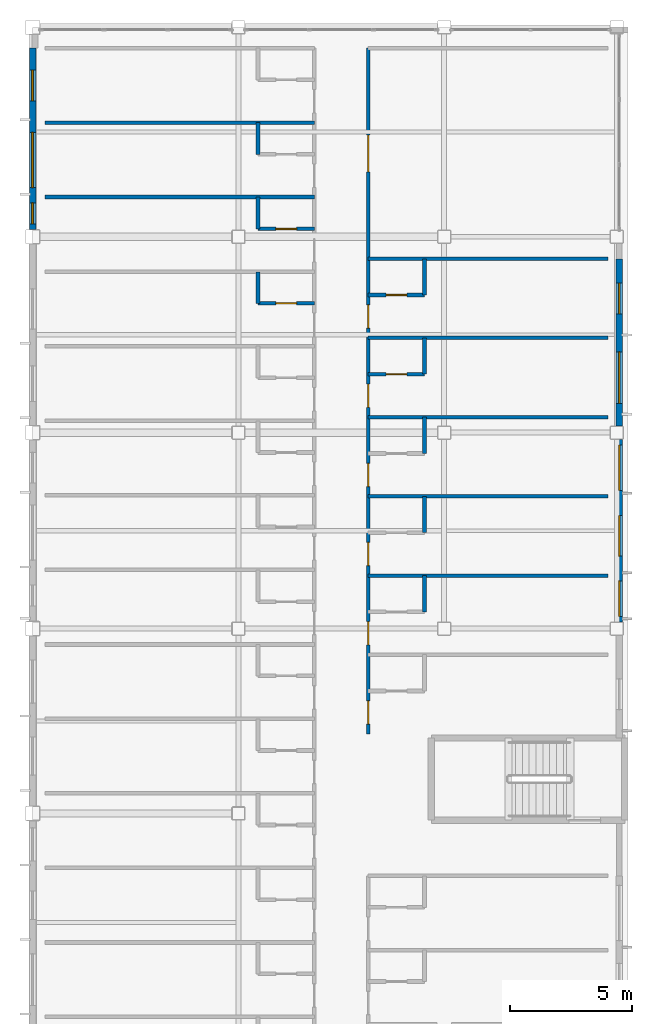
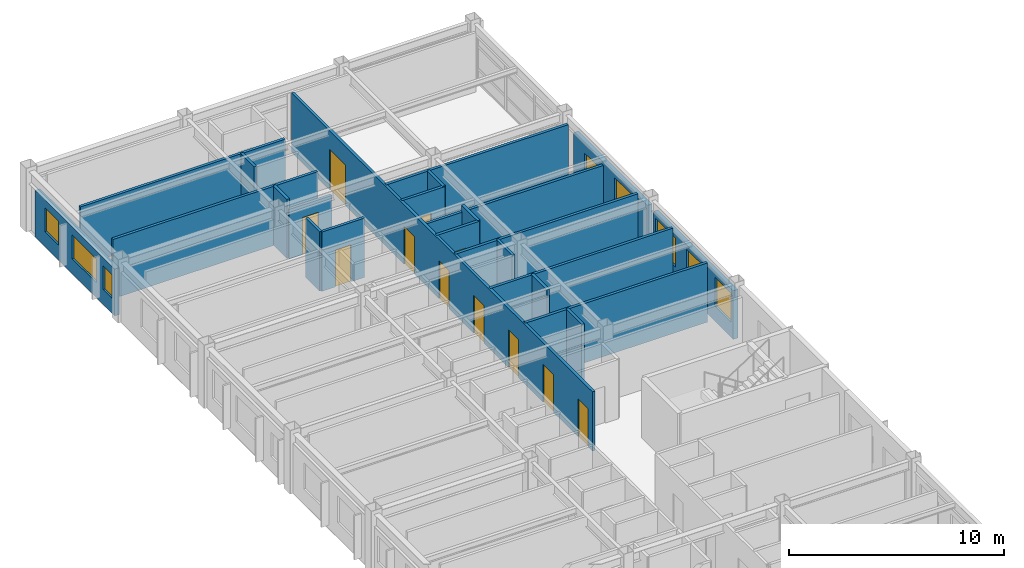
# One storey, part 32 of 38: 23 walls, 11 doors, 8 windows, 19 openings.
"""IFC4 building model written with IfcOpenShell, lengths in metres."""

import ifcopenshell
import ifcopenshell.guid

model = None  # the IFC model being written
_history = None  # IfcOwnerHistory: only IFC2X3 demands one
_inside = {}  # id of a spatial element -> (the spatial element, [elements in it])
_under = {}  # id of a project, library or spatial element -> (it, [spatial elements below it])
_declared = {}  # id of a project -> (the project, [libraries it declares])
_typed = {}  # id of a type object -> (the type object, [elements of that type])
_made_of = {}  # id of a material, layer set ... -> (it, [elements and type objects made of it])


def new_model(schema):
    """Start an empty IFC model of exactly this schema.

    Asked for "IFC4X3", IfcOpenShell would pick the latest addendum, in which some entities
    have other attributes; the version numbers below select the first issue.
    IFC2X3 requires an IfcOwnerHistory on every rooted entity: one is made here for all.
    """
    global model, _history
    if schema == "IFC4X3":
        model = ifcopenshell.file(schema_version=(4, 3, 0, 0))
    else:
        model = ifcopenshell.file(schema=schema)
    _inside.clear()
    _under.clear()
    _declared.clear()
    _typed.clear()
    _made_of.clear()
    _history = None
    if model.schema == "IFC2X3":
        org = make("IfcOrganization", Name="unknown")
        user = make(
            "IfcPersonAndOrganization",
            ThePerson=make("IfcPerson", FamilyName="unknown"),
            TheOrganization=org,
        )
        app = make(
            "IfcApplication",
            ApplicationDeveloper=org,
            Version="unknown",
            ApplicationFullName="unknown",
            ApplicationIdentifier="unknown",
        )
        _history = make(
            "IfcOwnerHistory",
            OwningUser=user,
            OwningApplication=app,
            ChangeAction="ADDED",
            CreationDate=0,
        )
    return model


def make(cls, **values):
    """One entity of the class cls with the attributes given. An attribute that is None is left unset."""
    return model.create_entity(
        cls, **{name: value for name, value in values.items() if value is not None}
    )


def rooted(cls, **values):
    """An entity with a GlobalId (a new one), such as an element, a storey or a relation."""
    return make(cls, GlobalId=ifcopenshell.guid.new(), OwnerHistory=_history, **values)


def si_unit(unit_type, name, prefix=None):
    """IfcSIUnit, for example si_unit("LENGTHUNIT", "METRE", prefix="MILLI")."""
    return make("IfcSIUnit", UnitType=unit_type, Prefix=prefix, Name=name)


def assignment(units):
    """IfcUnitAssignment: the units of a project."""
    return None if units is None else make("IfcUnitAssignment", Units=units)


def point(xyz):
    """IfcCartesianPoint."""
    return None if xyz is None else make("IfcCartesianPoint", Coordinates=xyz)


def direction(xyz):
    """IfcDirection."""
    return None if xyz is None else make("IfcDirection", DirectionRatios=xyz)


def frame(location, z_axis=None, x_axis=None):
    """IfcAxis2Placement3D, a coordinate frame: its origin and axes. An axis left out is left unset."""
    return make(
        "IfcAxis2Placement3D",
        Location=point(location),
        Axis=direction(z_axis),
        RefDirection=direction(x_axis),
    )


def frame_2d(location, x_axis=None):
    """IfcAxis2Placement2D, a coordinate frame in the plane: its origin and x axis."""
    return make(
        "IfcAxis2Placement2D", Location=point(location), RefDirection=direction(x_axis)
    )


def origin():
    """The frame at (0, 0, 0) with its axes left unset."""
    return frame((0.0, 0.0, 0.0))


def place(relative_to, where):
    """IfcLocalPlacement: puts the frame where relative to a parent placement (None: the world)."""
    return make(
        "IfcLocalPlacement", PlacementRelTo=relative_to, RelativePlacement=where
    )


def context(
    kind, dimensions, precision=None, world=None, true_north=None, identifier=None
):
    """IfcGeometricRepresentationContext, for example the 3D "Model" context."""
    return make(
        "IfcGeometricRepresentationContext",
        ContextIdentifier=identifier,
        ContextType=kind,
        CoordinateSpaceDimension=dimensions,
        Precision=precision,
        WorldCoordinateSystem=world,
        TrueNorth=true_north,
    )


def subcontext(parent, identifier, kind, view, scale=None):
    """IfcGeometricRepresentationSubContext, for example "Body" below "Model"."""
    return make(
        "IfcGeometricRepresentationSubContext",
        ContextIdentifier=identifier,
        ContextType=kind,
        ParentContext=parent,
        TargetScale=scale,
        TargetView=view,
    )


def project(units=None, contexts=None):
    """IfcProject with its units and contexts."""
    return rooted(
        "IfcProject",
        Name="project",
        RepresentationContexts=contexts,
        UnitsInContext=assignment(units),
    )


def spatial(cls, under=None, at=None, **own):
    """A site, building, storey or space (cls), placed at a placement, below another one or the project."""
    s = rooted(cls, ObjectPlacement=at, **own)
    if under is not None:
        _under.setdefault(under.id(), (under, []))[1].append(s)
    return s


def profile(cls, at=None, kind="AREA", **sizes):
    """A parametric profile (cls). Its sizes go by their IFC names, for example OverallWidth=200.0."""
    return make(cls, ProfileType=kind, Position=at, **sizes)


def rectangle(**sizes):
    """IfcRectangleProfileDef."""
    return profile("IfcRectangleProfileDef", **sizes)


def extrude(swept, where, along, depth):
    """IfcExtrudedAreaSolid: the profile swept, set in the frame where, extruded along a direction by depth."""
    return make(
        "IfcExtrudedAreaSolid",
        SweptArea=swept,
        Position=where,
        ExtrudedDirection=direction(along),
        Depth=depth,
    )


def shape(context_of_items, identifier, shape_type, items):
    """IfcShapeRepresentation: the items that make up one representation, for example the "Body"."""
    return make(
        "IfcShapeRepresentation",
        ContextOfItems=context_of_items,
        RepresentationIdentifier=identifier,
        RepresentationType=shape_type,
        Items=items,
    )


def material(Name=None, Category=None):
    """IfcMaterial."""
    return make("IfcMaterial", Name=Name, Category=Category)


def layer(
    of_material, thickness, ventilated=None, Name=None, Category=None, Priority=None
):
    """IfcMaterialLayer: one layer of a wall or slab, of a material (None: an air gap)."""
    return make(
        "IfcMaterialLayer",
        Material=of_material,
        LayerThickness=thickness,
        IsVentilated=ventilated,
        Name=Name,
        Category=Category,
        Priority=Priority,
    )


def layer_set(layers, Name=None):
    """IfcMaterialLayerSet."""
    return make("IfcMaterialLayerSet", MaterialLayers=layers, LayerSetName=Name)


def made_of(thing, what):
    """Note that an element or type object is made of a material, layer set ...; save() writes the relation."""
    if what is not None:
        _made_of.setdefault(what.id(), (what, []))[1].append(thing)
    return thing


def type_object(cls, material=None, **own):
    """A type object (cls), such as IfcWallType, which elements share."""
    return made_of(rooted(cls, **own), material)


def element(
    cls,
    number,
    at=None,
    inside=None,
    cuts=None,
    type_object=None,
    material=None,
    context=None,
    identifier="Body",
    shape_type=None,
    held_by="IfcProductDefinitionShape",
    body=None,
    shapes=None,
    **own,
):
    """One element of the class cls, such as IfcWall. Its Tag is "e" and its number.

    at: its placement. inside: the storey or other place that contains it. cuts: it is an
    opening in that element (IfcRelVoidsElement). A single representation is given by context,
    identifier, shape_type and body (its items); several are given by shapes. held_by: the class
    of the entity that holds the representations. save() writes the other relations.
    """
    e = rooted(cls, Tag="e%d" % number, ObjectPlacement=at, **own)
    if body is not None:
        shapes = [shape(context, identifier, shape_type, body)]
    if shapes is not None:
        e.Representation = make(held_by, Representations=shapes)
    if inside is not None:
        _inside.setdefault(inside.id(), (inside, []))[1].append(e)
    if cuts is not None:
        rooted(
            "IfcRelVoidsElement", RelatingBuildingElement=cuts, RelatedOpeningElement=e
        )
    if type_object is not None:
        _typed.setdefault(type_object.id(), (type_object, []))[1].append(e)
    return made_of(e, material)


def fill(opening, filler):
    """IfcRelFillsElement: the door or window that sits in an opening."""
    return rooted(
        "IfcRelFillsElement",
        RelatingOpeningElement=opening,
        RelatedBuildingElement=filler,
    )


def aggregate(whole, parts):
    """IfcRelAggregates: a whole, such as a stair, and the parts it consists of."""
    return rooted("IfcRelAggregates", RelatingObject=whole, RelatedObjects=parts)


def save(model, path):
    """Write the relations noted so far, then the file.

    IfcRelAggregates (storeys below a building ...), IfcRelContainedInSpatialStructure (elements
    in a storey), IfcRelDefinesByType, IfcRelAssociatesMaterial and IfcRelDeclares: one each for
    every whole, place, type object, material and project.
    """
    for whole, parts in _under.values():
        aggregate(whole, parts)
    for where, things in _inside.values():
        rooted(
            "IfcRelContainedInSpatialStructure",
            RelatedElements=things,
            RelatingStructure=where,
        )
    for kind, things in _typed.values():
        rooted("IfcRelDefinesByType", RelatedObjects=things, RelatingType=kind)
    for what, things in _made_of.values():
        rooted("IfcRelAssociatesMaterial", RelatedObjects=things, RelatingMaterial=what)
    for by, libraries in _declared.values():
        rooted("IfcRelDeclares", RelatingContext=by, RelatedDefinitions=libraries)
    model.write(path)


model = new_model("IFC4")

# Units and contexts
model_context = context("Model", 3, precision=1e-05, world=origin(), true_north=direction((0.0, 1.0)))
body_context = subcontext(model_context, "Body", "Model", "MODEL_VIEW")
ifc_project = project(units=[si_unit("LENGTHUNIT", "METRE"), si_unit("AREAUNIT", "SQUARE_METRE"), si_unit("VOLUMEUNIT", "CUBIC_METRE"), si_unit("PLANEANGLEUNIT", "RADIAN"), si_unit("MASSUNIT", "GRAM", prefix="KILO")], contexts=[model_context])

# Site, building, storey
site_placement = place(None, origin())
site = spatial("IfcSite", under=ifc_project, at=site_placement, CompositionType="ELEMENT")
building_placement = place(site_placement, origin())
building = spatial("IfcBuilding", under=site, at=building_placement, Name="Kazehara Bluff Congress Hotel", CompositionType="ELEMENT")
storey_placement = place(building_placement, frame((0.0, 0.0, 24.60009765625)))
storey = spatial("IfcBuildingStorey", under=building, at=storey_placement, Name="L05", CompositionType="ELEMENT", Elevation=24.60009765625)

# Wall, openings, windows
ifc_material_1 = material(Name="Precast concrete C40/50", Category="concrete")
ifc_layer_1 = layer(ifc_material_1, 0.260009765625)
ifc_layer_set_1 = layer_set([ifc_layer_1], Name="Precast concrete C40/50")
wall_type_1 = type_object("IfcWallType", Name="TP-EW-260", PredefinedType="SOLIDWALL", material=ifc_layer_set_1)
wall_1_placement = place(storey_placement, frame((167.64990234375, 88.625, 0.0), z_axis=(0.0, 0.0, 1.0), x_axis=(0.0, -1.0, 0.0)))
wall_1 = element("IfcWall", 1, at=wall_1_placement, inside=storey, type_object=wall_type_1, Name="L05 hotel facade panel 52", PredefinedType="SOLIDWALL", context=body_context, shape_type="SweptSolid", body=[
    extrude(rectangle(XDim=7.449951171875, YDim=0.260009765625, at=frame_2d((3.72509765625, 0.0))), origin(), (0.0, 0.0, 1.0), 2.7548828125),
])
opening_1_placement = place(wall_1_placement, frame((5.780029296875, 0.0, 0.85009765625)))
opening_1 = element("IfcOpeningElement", 2, at=opening_1_placement, cuts=wall_1, Name="Opening WN-18", PredefinedType="OPENING", context=body_context, shape_type="SweptSolid", body=[
    extrude(rectangle(XDim=1.449951171875, YDim=1.64990234375, at=frame_2d((0.72509765625, 0.824951171875))), frame((0.0, 0.139892578125, 0.0), z_axis=(0.0, -1.0, 0.0), x_axis=(1.0, 0.0, 0.0)), (0.0, 0.0, 1.0), 0.280029296875),
])
opening_2_placement = place(wall_1_placement, frame((3.114990234375, 0.0, 0.85009765625)))
opening_2 = element("IfcOpeningElement", 3, at=opening_2_placement, cuts=wall_1, Name="Opening WN-28", PredefinedType="OPENING", context=body_context, shape_type="SweptSolid", body=[
    extrude(rectangle(XDim=1.64990234375, YDim=1.64990234375, at=frame_2d((0.824951171875, 0.824951171875))), frame((0.0, 0.139892578125, 0.0), z_axis=(0.0, -1.0, 0.0), x_axis=(1.0, 0.0, 0.0)), (0.0, 0.0, 1.0), 0.280029296875),
])
opening_3_placement = place(wall_1_placement, frame((0.235107421875, 0.0, 0.85009765625)))
opening_3 = element("IfcOpeningElement", 4, at=opening_3_placement, cuts=wall_1, Name="Opening WN-38", PredefinedType="OPENING", context=body_context, shape_type="SweptSolid", body=[
    extrude(rectangle(XDim=1.85009765625, YDim=1.64990234375, at=frame_2d((0.925048828125, 0.824951171875))), frame((0.0, 0.139892578125, 0.0), z_axis=(0.0, -1.0, 0.0), x_axis=(1.0, 0.0, 0.0)), (0.0, 0.0, 1.0), 0.280029296875),
])
ifc_material_2 = material(Name="Insulated low-E double glazing", Category="glass")
window_type_1 = type_object("IfcWindowType", Name="TP-WN-18", PartitioningType="SINGLE_PANEL", PredefinedType="WINDOW", material=ifc_material_2)
window_1_placement = place(opening_1_placement, origin())
window_1 = element("IfcWindow", 5, at=window_1_placement, inside=storey, type_object=window_type_1, Name="L05 guestroom window WN-18 89", OverallHeight=1.64990234375, OverallWidth=1.449951171875, PartitioningType="SINGLE_PANEL", PredefinedType="WINDOW", context=body_context, shape_type="SweptSolid", body=[
    extrude(rectangle(XDim=1.449951171875, YDim=1.64990234375, at=frame_2d((0.72509765625, 0.824951171875))), frame((0.0, 0.030029296875, 0.0), z_axis=(0.0, -1.0, 0.0), x_axis=(1.0, 0.0, 0.0)), (0.0, 0.0, 1.0), 0.06005859375),
])
fill(opening_1, window_1)
ifc_material_3 = material(Name="Insulated low-E double glazing", Category="glass")
window_type_2 = type_object("IfcWindowType", Name="TP-WN-28", PartitioningType="SINGLE_PANEL", PredefinedType="WINDOW", material=ifc_material_3)
window_2_placement = place(opening_2_placement, origin())
window_2 = element("IfcWindow", 6, at=window_2_placement, inside=storey, type_object=window_type_2, Name="L05 guestroom window WN-28 90", OverallHeight=1.64990234375, OverallWidth=1.64990234375, PartitioningType="SINGLE_PANEL", PredefinedType="WINDOW", context=body_context, shape_type="SweptSolid", body=[
    extrude(rectangle(XDim=1.64990234375, YDim=1.64990234375, at=frame_2d((0.824951171875, 0.824951171875))), frame((0.0, 0.030029296875, 0.0), z_axis=(0.0, -1.0, 0.0), x_axis=(1.0, 0.0, 0.0)), (0.0, 0.0, 1.0), 0.06005859375),
])
fill(opening_2, window_2)
ifc_material_4 = material(Name="Insulated low-E double glazing", Category="glass")
window_type_3 = type_object("IfcWindowType", Name="TP-WN-38", PartitioningType="DOUBLE_PANEL_VERTICAL", PredefinedType="WINDOW", material=ifc_material_4)
window_3_placement = place(opening_3_placement, origin())
window_3 = element("IfcWindow", 7, at=window_3_placement, inside=storey, type_object=window_type_3, Name="L05 guestroom window WN-38 91", OverallHeight=1.64990234375, OverallWidth=1.85009765625, PartitioningType="SINGLE_PANEL", PredefinedType="WINDOW", context=body_context, shape_type="SweptSolid", body=[
    extrude(rectangle(XDim=1.85009765625, YDim=1.64990234375, at=frame_2d((0.925048828125, 0.824951171875))), frame((0.0, 0.030029296875, 0.0), z_axis=(0.0, -1.0, 0.0), x_axis=(1.0, 0.0, 0.0)), (0.0, 0.0, 1.0), 0.06005859375),
])
fill(opening_3, window_3)

wall_2_placement = place(storey_placement, frame((167.64990234375, 96.0, 0.0), z_axis=(0.0, 0.0, 1.0), x_axis=(0.0, -1.0, 0.0)))
wall_2 = element("IfcWall", 8, at=wall_2_placement, inside=storey, type_object=wall_type_1, Name="L05 hotel facade panel 53", PredefinedType="SOLIDWALL", context=body_context, shape_type="SweptSolid", body=[
    extrude(rectangle(XDim=6.824951171875, YDim=0.260009765625, at=frame_2d((3.41259765625, 0.0))), origin(), (0.0, 0.0, 1.0), 2.7548828125),
])
opening_4_placement = place(wall_2_placement, frame((3.800048828125, 0.0, 0.85009765625)))
opening_4 = element("IfcOpeningElement", 9, at=opening_4_placement, cuts=wall_2, Name="Opening WN-48", PredefinedType="OPENING", context=body_context, shape_type="SweptSolid", body=[
    extrude(rectangle(XDim=2.10009765625, YDim=1.64990234375, at=frame_2d((1.050048828125, 0.824951171875))), frame((0.0, 0.139892578125, 0.0), z_axis=(0.0, -1.0, 0.0), x_axis=(1.0, 0.0, 0.0)), (0.0, 0.0, 1.0), 0.280029296875),
])
opening_5_placement = place(wall_2_placement, frame((0.9951171875, 0.0, 0.85009765625)))
opening_5 = element("IfcOpeningElement", 10, at=opening_5_placement, cuts=wall_2, Name="Opening WN-06", PredefinedType="OPENING", context=body_context, shape_type="SweptSolid", body=[
    extrude(rectangle(XDim=1.25, YDim=1.35009765625, at=frame_2d((0.625, 0.675048828125))), frame((0.0, 0.139892578125, 0.0), z_axis=(0.0, -1.0, 0.0), x_axis=(1.0, 0.0, 0.0)), (0.0, 0.0, 1.0), 0.280029296875),
])
ifc_material_5 = material(Name="Insulated low-E double glazing", Category="glass")
window_type_4 = type_object("IfcWindowType", Name="TP-WN-06", PartitioningType="SINGLE_PANEL", PredefinedType="WINDOW", material=ifc_material_5)
window_4_placement = place(opening_5_placement, origin())
window_4 = element("IfcWindow", 11, at=window_4_placement, inside=storey, type_object=window_type_4, Name="L05 guestroom window WN-06 93", OverallHeight=1.35009765625, OverallWidth=1.25, PartitioningType="SINGLE_PANEL", PredefinedType="WINDOW", context=body_context, shape_type="SweptSolid", body=[
    extrude(rectangle(XDim=1.25, YDim=1.35009765625, at=frame_2d((0.625, 0.675048828125))), frame((0.0, 0.030029296875, 0.0), z_axis=(0.0, -1.0, 0.0), x_axis=(1.0, 0.0, 0.0)), (0.0, 0.0, 1.0), 0.06005859375),
])
fill(opening_5, window_4)
ifc_material_6 = material(Name="Insulated low-E double glazing", Category="glass")
window_type_5 = type_object("IfcWindowType", Name="TP-WN-48", PartitioningType="DOUBLE_PANEL_VERTICAL", PredefinedType="WINDOW", material=ifc_material_6)
window_5_placement = place(opening_4_placement, origin())
window_5 = element("IfcWindow", 12, at=window_5_placement, inside=storey, type_object=window_type_5, Name="L05 guestroom window WN-48 92", OverallHeight=1.64990234375, OverallWidth=2.10009765625, PartitioningType="SINGLE_PANEL", PredefinedType="WINDOW", context=body_context, shape_type="SweptSolid", body=[
    extrude(rectangle(XDim=2.10009765625, YDim=1.64990234375, at=frame_2d((1.050048828125, 0.824951171875))), frame((0.0, 0.030029296875, 0.0), z_axis=(0.0, -1.0, 0.0), x_axis=(1.0, 0.0, 0.0)), (0.0, 0.0, 1.0), 0.06005859375),
])
fill(opening_4, window_5)

wall_3_placement = place(storey_placement, frame((143.699951171875, 97.199951171875, 0.0), z_axis=(0.0, 0.0, 1.0), x_axis=(0.0, 1.0, 0.0)))
wall_3 = element("IfcWall", 13, at=wall_3_placement, inside=storey, type_object=wall_type_1, Name="L05 hotel facade panel 65", PredefinedType="SOLIDWALL", context=body_context, shape_type="SweptSolid", body=[
    extrude(rectangle(XDim=7.400146484375, YDim=0.260009765625, at=frame_2d((3.7001953125, 0.0))), origin(), (0.0, 0.0, 1.0), 2.65478515625),
])
opening_6_placement = place(wall_3_placement, frame((0.22998046875, 0.0, 0.85009765625)))
opening_6 = element("IfcOpeningElement", 14, at=opening_6_placement, cuts=wall_3, Name="Opening WN-55", PredefinedType="OPENING", context=body_context, shape_type="SweptSolid", body=[
    extrude(rectangle(XDim=0.85009765625, YDim=1.35009765625, at=frame_2d((0.425048828125, 0.675048828125))), frame((0.0, 0.139892578125, 0.0), z_axis=(0.0, -1.0, 0.0), x_axis=(1.0, 0.0, 0.0)), (0.0, 0.0, 1.0), 0.280029296875),
])
opening_7_placement = place(wall_3_placement, frame((1.7099609375, 0.0, 0.85009765625)))
opening_7 = element("IfcOpeningElement", 15, at=opening_7_placement, cuts=wall_3, Name="Opening WN-51", PredefinedType="OPENING", context=body_context, shape_type="SweptSolid", body=[
    extrude(rectangle(XDim=2.25, YDim=1.35009765625, at=frame_2d((1.125, 0.675048828125))), frame((0.0, 0.139892578125, 0.0), z_axis=(0.0, -1.0, 0.0), x_axis=(1.0, 0.0, 0.0)), (0.0, 0.0, 1.0), 0.280029296875),
])
opening_8_placement = place(wall_3_placement, frame((5.25, 0.0, 0.85009765625)))
opening_8 = element("IfcOpeningElement", 16, at=opening_8_placement, cuts=wall_3, Name="Opening WN-06", PredefinedType="OPENING", context=body_context, shape_type="SweptSolid", body=[
    extrude(rectangle(XDim=1.25, YDim=1.35009765625, at=frame_2d((0.625, 0.675048828125))), frame((0.0, 0.139892578125, 0.0), z_axis=(0.0, -1.0, 0.0), x_axis=(1.0, 0.0, 0.0)), (0.0, 0.0, 1.0), 0.280029296875),
])
window_6_placement = place(opening_8_placement, origin())
window_6 = element("IfcWindow", 17, at=window_6_placement, inside=storey, type_object=window_type_4, Name="L05 guestroom window WN-06 118", OverallHeight=1.35009765625, OverallWidth=1.25, PartitioningType="SINGLE_PANEL", PredefinedType="WINDOW", context=body_context, shape_type="SweptSolid", body=[
    extrude(rectangle(XDim=1.25, YDim=1.35009765625, at=frame_2d((0.625, 0.675048828125))), frame((0.0, 0.030029296875, 0.0), z_axis=(0.0, -1.0, 0.0), x_axis=(1.0, 0.0, 0.0)), (0.0, 0.0, 1.0), 0.06005859375),
])
fill(opening_8, window_6)
ifc_material_7 = material(Name="Insulated low-E double glazing", Category="glass")
window_type_6 = type_object("IfcWindowType", Name="TP-WN-51", PartitioningType="DOUBLE_PANEL_VERTICAL", PredefinedType="WINDOW", material=ifc_material_7)
window_7_placement = place(opening_7_placement, origin())
window_7 = element("IfcWindow", 18, at=window_7_placement, inside=storey, type_object=window_type_6, Name="L05 guestroom window WN-51 117", OverallHeight=1.35009765625, OverallWidth=2.25, PartitioningType="SINGLE_PANEL", PredefinedType="WINDOW", context=body_context, shape_type="SweptSolid", body=[
    extrude(rectangle(XDim=2.25, YDim=1.35009765625, at=frame_2d((1.125, 0.675048828125))), frame((0.0, 0.030029296875, 0.0), z_axis=(0.0, -1.0, 0.0), x_axis=(1.0, 0.0, 0.0)), (0.0, 0.0, 1.0), 0.06005859375),
])
fill(opening_7, window_7)
ifc_material_8 = material(Name="Insulated low-E double glazing", Category="glass")
window_type_7 = type_object("IfcWindowType", Name="TP-WN-55", PartitioningType="SINGLE_PANEL", PredefinedType="WINDOW", material=ifc_material_8)
window_8_placement = place(opening_6_placement, origin())
window_8 = element("IfcWindow", 19, at=window_8_placement, inside=storey, type_object=window_type_7, Name="L05 guestroom window WN-55 116", OverallHeight=1.35009765625, OverallWidth=0.85009765625, PartitioningType="SINGLE_PANEL", PredefinedType="WINDOW", context=body_context, shape_type="SweptSolid", body=[
    extrude(rectangle(XDim=0.85009765625, YDim=1.35009765625, at=frame_2d((0.425048828125, 0.675048828125))), frame((0.0, 0.030029296875, 0.0), z_axis=(0.0, -1.0, 0.0), x_axis=(1.0, 0.0, 0.0)), (0.0, 0.0, 1.0), 0.06005859375),
])
fill(opening_6, window_8)

# Walls
ifc_material_9 = material(Name="Fire-rated gypsum board stud partition")
ifc_layer_2 = layer(ifc_material_9, 0.14990234375)
ifc_layer_set_2 = layer_set([ifc_layer_2], Name="Fire-rated gypsum board stud partition")
wall_type_2 = type_object("IfcWallType", Name="TP-PT-150", PredefinedType="PARTITIONING", material=ifc_layer_set_2)
for number, where, z_axis, x_axis, name in (
    (20, (157.39990234375, 83.06005859375, 0.0), (0.0, 0.0, 1.0), (1.0, 0.0, 0.0), "L05 partition PT-150 598"),
    (21, (157.39990234375, 86.300048828125, 0.0), (0.0, 0.0, 1.0), (1.0, 0.0, 0.0), "L05 partition PT-150 602"),
    (22, (157.39990234375, 89.530029296875, 0.0), (0.0, 0.0, 1.0), (1.0, 0.0, 0.0), "L05 partition PT-150 607"),
):
    element("IfcWall", number, at=place(storey_placement, frame(where, z_axis=z_axis, x_axis=x_axis)), inside=storey, type_object=wall_type_2, Name=name, PredefinedType="PARTITIONING", context=body_context, shape_type="SweptSolid", body=[
        extrude(rectangle(XDim=9.800048828125, YDim=0.14990234375, at=frame_2d((4.89990234375, 0.0))), origin(), (0.0, 0.0, 1.0), 3.364990234375),
    ])

# Wall, opening, door
wall_4_placement = place(storey_placement, frame((157.39990234375, 91.280029296875, 0.0), z_axis=(0.0, 0.0, 1.0), x_axis=(1.0, 0.0, 0.0)))
wall_4 = element("IfcWall", 23, at=wall_4_placement, inside=storey, type_object=wall_type_2, Name="L05 partition PT-150 609", PredefinedType="PARTITIONING", context=body_context, shape_type="SweptSolid", body=[
    extrude(rectangle(XDim=2.300048828125, YDim=0.14990234375, at=frame_2d((1.14990234375, 0.0))), origin(), (0.0, 0.0, 1.0), 3.364990234375),
])
opening_9_placement = place(wall_4_placement, frame((0.72509765625, 0.0, 0.0)))
opening_9 = element("IfcOpeningElement", 24, at=opening_9_placement, cuts=wall_4, Name="Opening BD-01", PredefinedType="OPENING", context=body_context, shape_type="SweptSolid", body=[
    extrude(rectangle(XDim=0.85009765625, YDim=2.10009765625, at=frame_2d((0.425048828125, 1.050048828125))), frame((0.0, 0.0849609375, 0.0), z_axis=(0.0, -1.0, 0.0), x_axis=(1.0, 0.0, 0.0)), (0.0, 0.0, 1.0), 0.169921875),
])
ifc_material_10 = material(Name="Architectural oak veneer leaf")
door_type_1 = type_object("IfcDoorType", Name="TP-BD-01", OperationType="NOTDEFINED", PredefinedType="DOOR", material=ifc_material_10)
door_1_placement = place(opening_9_placement, origin())
door_1 = element("IfcDoor", 25, at=door_1_placement, inside=storey, type_object=door_type_1, Name="L05 En-suite Bathroom 117 door", OperationType="SINGLE_SWING_RIGHT", OverallHeight=2.10009765625, OverallWidth=0.85009765625, PredefinedType="DOOR", context=body_context, shape_type="SweptSolid", body=[
    extrude(rectangle(XDim=0.85009765625, YDim=2.10009765625, at=frame_2d((0.425048828125, 1.050048828125))), frame((0.0, 0.02490234375, 0.0), z_axis=(0.0, -1.0, 0.0), x_axis=(1.0, 0.0, 0.0)), (0.0, 0.0, 1.0), 0.050048828125),
])
fill(opening_9, door_1)

# Wall
wall_5_placement = place(storey_placement, frame((157.39990234375, 92.77001953125, 0.0), z_axis=(0.0, 0.0, 1.0), x_axis=(1.0, 0.0, 0.0)))
element("IfcWall", 26, at=wall_5_placement, inside=storey, type_object=wall_type_2, Name="L05 partition PT-150 611", PredefinedType="PARTITIONING", context=body_context, shape_type="SweptSolid", body=[
    extrude(rectangle(XDim=9.800048828125, YDim=0.14990234375, at=frame_2d((4.89990234375, 0.0))), origin(), (0.0, 0.0, 1.0), 3.0048828125),
])

# Wall, opening, door
wall_6_placement = place(storey_placement, frame((152.89990234375, 94.179931640625, 0.0), z_axis=(0.0, 0.0, 1.0), x_axis=(1.0, 0.0, 0.0)))
wall_6 = element("IfcWall", 27, at=wall_6_placement, inside=storey, type_object=wall_type_2, Name="L05 partition PT-150 612", PredefinedType="PARTITIONING", context=body_context, shape_type="SweptSolid", body=[
    extrude(rectangle(XDim=2.300048828125, YDim=0.14990234375, at=frame_2d((1.14990234375, 0.0))), origin(), (0.0, 0.0, 1.0), 3.364990234375),
])
opening_10_placement = place(wall_6_placement, frame((0.72509765625, 0.0, 0.0)))
opening_10 = element("IfcOpeningElement", 28, at=opening_10_placement, cuts=wall_6, Name="Opening BD-01", PredefinedType="OPENING", context=body_context, shape_type="SweptSolid", body=[
    extrude(rectangle(XDim=0.85009765625, YDim=2.10009765625, at=frame_2d((0.425048828125, 1.050048828125))), frame((0.0, 0.0849609375, 0.0), z_axis=(0.0, -1.0, 0.0), x_axis=(1.0, 0.0, 0.0)), (0.0, 0.0, 1.0), 0.169921875),
])
door_2_placement = place(opening_10_placement, origin())
door_2 = element("IfcDoor", 29, at=door_2_placement, inside=storey, type_object=door_type_1, Name="L05 En-suite Bathroom 88 door", OperationType="SINGLE_SWING_RIGHT", OverallHeight=2.10009765625, OverallWidth=0.85009765625, PredefinedType="DOOR", context=body_context, shape_type="SweptSolid", body=[
    extrude(rectangle(XDim=0.85009765625, YDim=2.10009765625, at=frame_2d((0.425048828125, 1.050048828125))), frame((0.0, 0.02490234375, 0.0), z_axis=(0.0, -1.0, 0.0), x_axis=(1.0, 0.0, 0.0)), (0.0, 0.0, 1.0), 0.050048828125),
])
fill(opening_10, door_2)

wall_7_placement = place(storey_placement, frame((157.39990234375, 94.52001953125, 0.0), z_axis=(0.0, 0.0, 1.0), x_axis=(1.0, 0.0, 0.0)))
wall_7 = element("IfcWall", 30, at=wall_7_placement, inside=storey, type_object=wall_type_2, Name="L05 partition PT-150 613", PredefinedType="PARTITIONING", context=body_context, shape_type="SweptSolid", body=[
    extrude(rectangle(XDim=2.300048828125, YDim=0.14990234375, at=frame_2d((1.14990234375, 0.0))), origin(), (0.0, 0.0, 1.0), 3.364990234375),
])
opening_11_placement = place(wall_7_placement, frame((0.72509765625, 0.0, 0.0)))
opening_11 = element("IfcOpeningElement", 31, at=opening_11_placement, cuts=wall_7, Name="Opening BD-01", PredefinedType="OPENING", context=body_context, shape_type="SweptSolid", body=[
    extrude(rectangle(XDim=0.85009765625, YDim=2.10009765625, at=frame_2d((0.425048828125, 1.050048828125))), frame((0.0, 0.0849609375, 0.0), z_axis=(0.0, -1.0, 0.0), x_axis=(1.0, 0.0, 0.0)), (0.0, 0.0, 1.0), 0.169921875),
])
door_3_placement = place(opening_11_placement, origin())
door_3 = element("IfcDoor", 32, at=door_3_placement, inside=storey, type_object=door_type_1, Name="L05 En-suite Bathroom 118 door", OperationType="SINGLE_SWING_RIGHT", OverallHeight=2.10009765625, OverallWidth=0.85009765625, PredefinedType="DOOR", context=body_context, shape_type="SweptSolid", body=[
    extrude(rectangle(XDim=0.85009765625, YDim=2.10009765625, at=frame_2d((0.425048828125, 1.050048828125))), frame((0.0, 0.02490234375, 0.0), z_axis=(0.0, -1.0, 0.0), x_axis=(1.0, 0.0, 0.0)), (0.0, 0.0, 1.0), 0.050048828125),
])
fill(opening_11, door_3)

# Wall
wall_8_placement = place(storey_placement, frame((157.39990234375, 96.0, 0.0), z_axis=(0.0, 0.0, 1.0), x_axis=(1.0, 0.0, 0.0)))
element("IfcWall", 33, at=wall_8_placement, inside=storey, type_object=wall_type_2, Name="L05 partition PT-150 615", PredefinedType="PARTITIONING", context=body_context, shape_type="SweptSolid", body=[
    extrude(rectangle(XDim=9.800048828125, YDim=0.14990234375, at=frame_2d((4.89990234375, 0.0))), origin(), (0.0, 0.0, 1.0), 3.364990234375),
])

# Wall, opening, door
wall_9_placement = place(storey_placement, frame((152.89990234375, 97.219970703125, 0.0), z_axis=(0.0, 0.0, 1.0), x_axis=(1.0, 0.0, 0.0)))
wall_9 = element("IfcWall", 34, at=wall_9_placement, inside=storey, type_object=wall_type_2, Name="L05 partition PT-150 616", PredefinedType="PARTITIONING", context=body_context, shape_type="SweptSolid", body=[
    extrude(rectangle(XDim=2.300048828125, YDim=0.14990234375, at=frame_2d((1.14990234375, 0.0))), origin(), (0.0, 0.0, 1.0), 2.804931640625),
])
opening_12_placement = place(wall_9_placement, frame((0.72509765625, 0.0, 0.0)))
opening_12 = element("IfcOpeningElement", 35, at=opening_12_placement, cuts=wall_9, Name="Opening BD-01", PredefinedType="OPENING", context=body_context, shape_type="SweptSolid", body=[
    extrude(rectangle(XDim=0.85009765625, YDim=2.10009765625, at=frame_2d((0.425048828125, 1.050048828125))), frame((0.0, 0.0849609375, 0.0), z_axis=(0.0, -1.0, 0.0), x_axis=(1.0, 0.0, 0.0)), (0.0, 0.0, 1.0), 0.169921875),
])
door_4_placement = place(opening_12_placement, origin())
door_4 = element("IfcDoor", 36, at=door_4_placement, inside=storey, type_object=door_type_1, Name="L05 En-suite Bathroom 89 door", OperationType="SINGLE_SWING_RIGHT", OverallHeight=2.10009765625, OverallWidth=0.85009765625, PredefinedType="DOOR", context=body_context, shape_type="SweptSolid", body=[
    extrude(rectangle(XDim=0.85009765625, YDim=2.10009765625, at=frame_2d((0.425048828125, 1.050048828125))), frame((0.0, 0.02490234375, 0.0), z_axis=(0.0, -1.0, 0.0), x_axis=(1.0, 0.0, 0.0)), (0.0, 0.0, 1.0), 0.050048828125),
])
fill(opening_12, door_4)

# Walls
for number, where, z_axis, x_axis, name in (
    (37, (144.199951171875, 98.52001953125, 0.0), (0.0, 0.0, 1.0), (1.0, 0.0, 0.0), "L05 partition PT-150 617"),
    (38, (144.199951171875, 101.56005859375, 0.0), (0.0, 0.0, 1.0), (1.0, 0.0, 0.0), "L05 partition PT-150 619"),
):
    element("IfcWall", number, at=place(storey_placement, frame(where, z_axis=z_axis, x_axis=x_axis)), inside=storey, type_object=wall_type_2, Name=name, PredefinedType="PARTITIONING", context=body_context, shape_type="SweptSolid", body=[
        extrude(rectangle(XDim=11.0, YDim=0.14990234375, at=frame_2d((5.5, 0.0))), origin(), (0.0, 0.0, 1.0), 3.364990234375),
    ])
wall_10_placement = place(storey_placement, frame((152.89990234375, 94.179931640625, 0.0), z_axis=(0.0, 0.0, 1.0), x_axis=(0.0, 1.0, 0.0)))
element("IfcWall", 39, at=wall_10_placement, inside=storey, type_object=wall_type_2, Name="L05 partition PT-150 646", PredefinedType="PARTITIONING", context=body_context, shape_type="SweptSolid", body=[
    extrude(rectangle(XDim=1.2900390625, YDim=0.14990234375, at=frame_2d((0.64501953125, 0.0))), origin(), (0.0, 0.0, 1.0), 3.364990234375),
])
wall_11_placement = place(storey_placement, frame((152.89990234375, 97.219970703125, 0.0), z_axis=(0.0, 0.0, 1.0), x_axis=(0.0, 1.0, 0.0)))
element("IfcWall", 40, at=wall_11_placement, inside=storey, type_object=wall_type_2, Name="L05 partition PT-150 647", PredefinedType="PARTITIONING", context=body_context, shape_type="SweptSolid", body=[
    extrude(rectangle(XDim=1.294921875, YDim=0.14990234375, at=frame_2d((0.6474609375, 0.0))), origin(), (0.0, 0.0, 1.0), 3.364990234375),
])
wall_12_placement = place(storey_placement, frame((152.89990234375, 100.264892578125, 0.0), z_axis=(0.0, 0.0, 1.0), x_axis=(0.0, 1.0, 0.0)))
element("IfcWall", 41, at=wall_12_placement, inside=storey, type_object=wall_type_2, Name="L05 partition PT-150 648", PredefinedType="PARTITIONING", context=body_context, shape_type="SweptSolid", body=[
    extrude(rectangle(XDim=1.2900390625, YDim=0.14990234375, at=frame_2d((0.64501953125, 0.0))), origin(), (0.0, 0.0, 1.0), 3.364990234375),
])

# Wall, openings, doors
wall_13_placement = place(storey_placement, frame((157.39990234375, 76.60009765625, 0.0), z_axis=(0.0, 0.0, 1.0), x_axis=(0.0, 1.0, 0.0)))
wall_13 = element("IfcWall", 42, at=wall_13_placement, inside=storey, type_object=wall_type_2, Name="L05 partition PT-150 659", PredefinedType="PARTITIONING", context=body_context, shape_type="SweptSolid", body=[
    extrude(rectangle(XDim=28.0, YDim=0.14990234375, at=frame_2d((14.0, 0.0))), origin(), (0.0, 0.0, 1.0), 3.364990234375),
])
opening_13_placement = place(wall_13_placement, frame((22.949951171875, 0.0, 0.0)))
opening_13 = element("IfcOpeningElement", 43, at=opening_13_placement, cuts=wall_13, Name="Opening AD-01", PredefinedType="OPENING", context=body_context, shape_type="SweptSolid", body=[
    extrude(rectangle(XDim=1.5, YDim=2.300048828125, at=frame_2d((0.75, 1.14990234375))), frame((0.0, 0.0849609375, 0.0), z_axis=(0.0, -1.0, 0.0), x_axis=(1.0, 0.0, 0.0)), (0.0, 0.0, 1.0), 0.169921875),
])
opening_14_placement = place(wall_13_placement, frame((0.39990234375, 0.0, 0.0)))
opening_14 = element("IfcOpeningElement", 44, at=opening_14_placement, cuts=wall_13, Name="Opening GD-01", PredefinedType="OPENING", context=body_context, shape_type="SweptSolid", body=[
    extrude(rectangle(XDim=0.949951171875, YDim=2.14990234375, at=frame_2d((0.47509765625, 1.074951171875))), frame((0.0, 0.0849609375, 0.0), z_axis=(0.0, -1.0, 0.0), x_axis=(1.0, 0.0, 0.0)), (0.0, 0.0, 1.0), 0.169921875),
])
opening_15_placement = place(wall_13_placement, frame((3.635009765625, 0.0, 0.0)))
opening_15 = element("IfcOpeningElement", 45, at=opening_15_placement, cuts=wall_13, Name="Opening GD-01", PredefinedType="OPENING", context=body_context, shape_type="SweptSolid", body=[
    extrude(rectangle(XDim=0.949951171875, YDim=2.14990234375, at=frame_2d((0.47509765625, 1.074951171875))), frame((0.0, 0.0849609375, 0.0), z_axis=(0.0, -1.0, 0.0), x_axis=(1.0, 0.0, 0.0)), (0.0, 0.0, 1.0), 0.169921875),
])
opening_16_placement = place(wall_13_placement, frame((6.864990234375, 0.0, 0.0)))
opening_16 = element("IfcOpeningElement", 46, at=opening_16_placement, cuts=wall_13, Name="Opening GD-01", PredefinedType="OPENING", context=body_context, shape_type="SweptSolid", body=[
    extrude(rectangle(XDim=0.949951171875, YDim=2.14990234375, at=frame_2d((0.47509765625, 1.074951171875))), frame((0.0, 0.0849609375, 0.0), z_axis=(0.0, -1.0, 0.0), x_axis=(1.0, 0.0, 0.0)), (0.0, 0.0, 1.0), 0.169921875),
])
opening_17_placement = place(wall_13_placement, frame((10.10009765625, 0.0, 0.0)))
opening_17 = element("IfcOpeningElement", 47, at=opening_17_placement, cuts=wall_13, Name="Opening GD-01", PredefinedType="OPENING", context=body_context, shape_type="SweptSolid", body=[
    extrude(rectangle(XDim=0.949951171875, YDim=2.14990234375, at=frame_2d((0.47509765625, 1.074951171875))), frame((0.0, 0.0849609375, 0.0), z_axis=(0.0, -1.0, 0.0), x_axis=(1.0, 0.0, 0.0)), (0.0, 0.0, 1.0), 0.169921875),
])
opening_18_placement = place(wall_13_placement, frame((13.3349609375, 0.0, 0.0)))
opening_18 = element("IfcOpeningElement", 48, at=opening_18_placement, cuts=wall_13, Name="Opening GD-01", PredefinedType="OPENING", context=body_context, shape_type="SweptSolid", body=[
    extrude(rectangle(XDim=0.949951171875, YDim=2.14990234375, at=frame_2d((0.47509765625, 1.074951171875))), frame((0.0, 0.0849609375, 0.0), z_axis=(0.0, -1.0, 0.0), x_axis=(1.0, 0.0, 0.0)), (0.0, 0.0, 1.0), 0.169921875),
])
opening_19_placement = place(wall_13_placement, frame((16.56494140625, 0.0, 0.0)))
opening_19 = element("IfcOpeningElement", 49, at=opening_19_placement, cuts=wall_13, Name="Opening GD-01", PredefinedType="OPENING", context=body_context, shape_type="SweptSolid", body=[
    extrude(rectangle(XDim=0.949951171875, YDim=2.14990234375, at=frame_2d((0.47509765625, 1.074951171875))), frame((0.0, 0.0849609375, 0.0), z_axis=(0.0, -1.0, 0.0), x_axis=(1.0, 0.0, 0.0)), (0.0, 0.0, 1.0), 0.169921875),
])
ifc_material_11 = material(Name="Architectural oak veneer leaf")
door_type_2 = type_object("IfcDoorType", Name="TP-AD-01", OperationType="DOUBLE_DOOR_SINGLE_SWING", PredefinedType="DOOR", material=ifc_material_11)
door_5_placement = place(opening_13_placement, origin())
door_5 = element("IfcDoor", 50, at=door_5_placement, inside=storey, type_object=door_type_2, Name="L05 North Bluff Morning Lounge door", OperationType="DOUBLE_DOOR_SINGLE_SWING", OverallHeight=2.300048828125, OverallWidth=1.5, PredefinedType="DOOR", context=body_context, shape_type="SweptSolid", body=[
    extrude(rectangle(XDim=1.5, YDim=2.300048828125, at=frame_2d((0.75, 1.14990234375))), frame((0.0, 0.02490234375, 0.0), z_axis=(0.0, -1.0, 0.0), x_axis=(1.0, 0.0, 0.0)), (0.0, 0.0, 1.0), 0.050048828125),
])
fill(opening_13, door_5)
ifc_material_12 = material(Name="Architectural oak veneer leaf")
door_type_3 = type_object("IfcDoorType", Name="TP-GD-01", OperationType="NOTDEFINED", PredefinedType="DOOR", material=ifc_material_12)
door_6_placement = place(opening_14_placement, origin())
door_6 = element("IfcDoor", 51, at=door_6_placement, inside=storey, type_object=door_type_3, Name="L05 Standard King Guest Room 113 door", OperationType="SINGLE_SWING_LEFT", OverallHeight=2.14990234375, OverallWidth=0.949951171875, PredefinedType="DOOR", context=body_context, shape_type="SweptSolid", body=[
    extrude(rectangle(XDim=0.949951171875, YDim=2.14990234375, at=frame_2d((0.47509765625, 1.074951171875))), frame((0.0, 0.02490234375, 0.0), z_axis=(0.0, -1.0, 0.0), x_axis=(1.0, 0.0, 0.0)), (0.0, 0.0, 1.0), 0.050048828125),
])
fill(opening_14, door_6)
door_7_placement = place(opening_15_placement, origin())
door_7 = element("IfcDoor", 52, at=door_7_placement, inside=storey, type_object=door_type_3, Name="L05 Deluxe Twin Guest Room 114 door", OperationType="SINGLE_SWING_LEFT", OverallHeight=2.14990234375, OverallWidth=0.949951171875, PredefinedType="DOOR", context=body_context, shape_type="SweptSolid", body=[
    extrude(rectangle(XDim=0.949951171875, YDim=2.14990234375, at=frame_2d((0.47509765625, 1.074951171875))), frame((0.0, 0.02490234375, 0.0), z_axis=(0.0, -1.0, 0.0), x_axis=(1.0, 0.0, 0.0)), (0.0, 0.0, 1.0), 0.050048828125),
])
fill(opening_15, door_7)
door_8_placement = place(opening_16_placement, origin())
door_8 = element("IfcDoor", 53, at=door_8_placement, inside=storey, type_object=door_type_3, Name="L05 Standard King Guest Room 115 door", OperationType="SINGLE_SWING_LEFT", OverallHeight=2.14990234375, OverallWidth=0.949951171875, PredefinedType="DOOR", context=body_context, shape_type="SweptSolid", body=[
    extrude(rectangle(XDim=0.949951171875, YDim=2.14990234375, at=frame_2d((0.47509765625, 1.074951171875))), frame((0.0, 0.02490234375, 0.0), z_axis=(0.0, -1.0, 0.0), x_axis=(1.0, 0.0, 0.0)), (0.0, 0.0, 1.0), 0.050048828125),
])
fill(opening_16, door_8)
door_9_placement = place(opening_17_placement, origin())
door_9 = element("IfcDoor", 54, at=door_9_placement, inside=storey, type_object=door_type_3, Name="L05 Deluxe Twin Guest Room 116 door", OperationType="SINGLE_SWING_LEFT", OverallHeight=2.14990234375, OverallWidth=0.949951171875, PredefinedType="DOOR", context=body_context, shape_type="SweptSolid", body=[
    extrude(rectangle(XDim=0.949951171875, YDim=2.14990234375, at=frame_2d((0.47509765625, 1.074951171875))), frame((0.0, 0.02490234375, 0.0), z_axis=(0.0, -1.0, 0.0), x_axis=(1.0, 0.0, 0.0)), (0.0, 0.0, 1.0), 0.050048828125),
])
fill(opening_17, door_9)
door_10_placement = place(opening_18_placement, origin())
door_10 = element("IfcDoor", 55, at=door_10_placement, inside=storey, type_object=door_type_3, Name="L05 Standard King Guest Room 117 door", OperationType="SINGLE_SWING_LEFT", OverallHeight=2.14990234375, OverallWidth=0.949951171875, PredefinedType="DOOR", context=body_context, shape_type="SweptSolid", body=[
    extrude(rectangle(XDim=0.949951171875, YDim=2.14990234375, at=frame_2d((0.47509765625, 1.074951171875))), frame((0.0, 0.02490234375, 0.0), z_axis=(0.0, -1.0, 0.0), x_axis=(1.0, 0.0, 0.0)), (0.0, 0.0, 1.0), 0.050048828125),
])
fill(opening_18, door_10)
door_11_placement = place(opening_19_placement, origin())
door_11 = element("IfcDoor", 56, at=door_11_placement, inside=storey, type_object=door_type_3, Name="L05 Deluxe Twin Guest Room 118 door", OperationType="SINGLE_SWING_LEFT", OverallHeight=2.14990234375, OverallWidth=0.949951171875, PredefinedType="DOOR", context=body_context, shape_type="SweptSolid", body=[
    extrude(rectangle(XDim=0.949951171875, YDim=2.14990234375, at=frame_2d((0.47509765625, 1.074951171875))), frame((0.0, 0.02490234375, 0.0), z_axis=(0.0, -1.0, 0.0), x_axis=(1.0, 0.0, 0.0)), (0.0, 0.0, 1.0), 0.050048828125),
])
fill(opening_19, door_11)

# Walls
wall_14_placement = place(storey_placement, frame((159.699951171875, 81.5849609375, 0.0), z_axis=(0.0, 0.0, 1.0), x_axis=(0.0, 1.0, 0.0)))
element("IfcWall", 57, at=wall_14_placement, inside=storey, type_object=wall_type_2, Name="L05 partition PT-150 682", PredefinedType="PARTITIONING", context=body_context, shape_type="SweptSolid", body=[
    extrude(rectangle(XDim=1.47998046875, YDim=0.14990234375, at=frame_2d((0.739990234375, 0.0))), origin(), (0.0, 0.0, 1.0), 3.364990234375),
])
wall_15_placement = place(storey_placement, frame((159.699951171875, 84.81494140625, 0.0), z_axis=(0.0, 0.0, 1.0), x_axis=(0.0, 1.0, 0.0)))
element("IfcWall", 58, at=wall_15_placement, inside=storey, type_object=wall_type_2, Name="L05 partition PT-150 683", PredefinedType="PARTITIONING", context=body_context, shape_type="SweptSolid", body=[
    extrude(rectangle(XDim=1.485107421875, YDim=0.14990234375, at=frame_2d((0.74267578125, 0.0))), origin(), (0.0, 0.0, 1.0), 3.364990234375),
])
wall_16_placement = place(storey_placement, frame((159.699951171875, 88.050048828125, 0.0), z_axis=(0.0, 0.0, 1.0), x_axis=(0.0, 1.0, 0.0)))
element("IfcWall", 59, at=wall_16_placement, inside=storey, type_object=wall_type_2, Name="L05 partition PT-150 684", PredefinedType="PARTITIONING", context=body_context, shape_type="SweptSolid", body=[
    extrude(rectangle(XDim=1.48486328125, YDim=0.14990234375, at=frame_2d((0.742431640625, 0.0))), origin(), (0.0, 0.0, 1.0), 3.364990234375),
])
wall_17_placement = place(storey_placement, frame((159.699951171875, 91.284912109375, 0.0), z_axis=(0.0, 0.0, 1.0), x_axis=(0.0, 1.0, 0.0)))
element("IfcWall", 60, at=wall_17_placement, inside=storey, type_object=wall_type_2, Name="L05 partition PT-150 685", PredefinedType="PARTITIONING", context=body_context, shape_type="SweptSolid", body=[
    extrude(rectangle(XDim=1.47998046875, YDim=0.14990234375, at=frame_2d((0.739990234375, 0.0))), origin(), (0.0, 0.0, 1.0), 3.364990234375),
])
wall_18_placement = place(storey_placement, frame((159.699951171875, 94.514892578125, 0.0), z_axis=(0.0, 0.0, 1.0), x_axis=(0.0, 1.0, 0.0)))
element("IfcWall", 61, at=wall_18_placement, inside=storey, type_object=wall_type_2, Name="L05 partition PT-150 686", PredefinedType="PARTITIONING", context=body_context, shape_type="SweptSolid", body=[
    extrude(rectangle(XDim=1.485107421875, YDim=0.14990234375, at=frame_2d((0.74267578125, 0.0))), origin(), (0.0, 0.0, 1.0), 3.364990234375),
])

save(model, "model.ifc")
